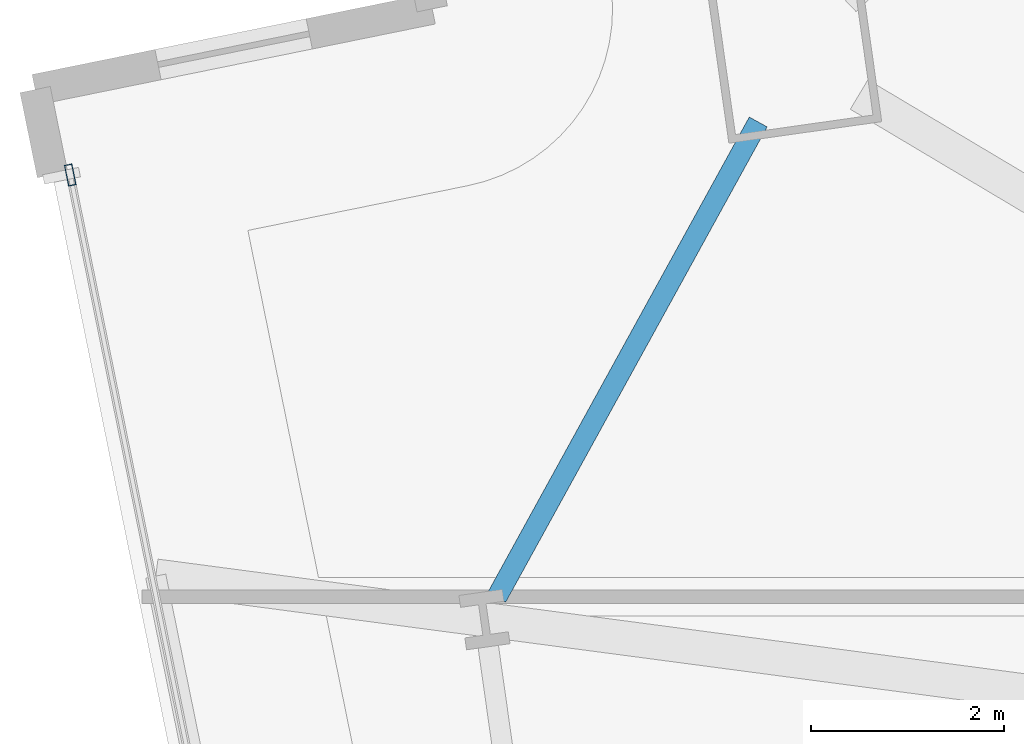
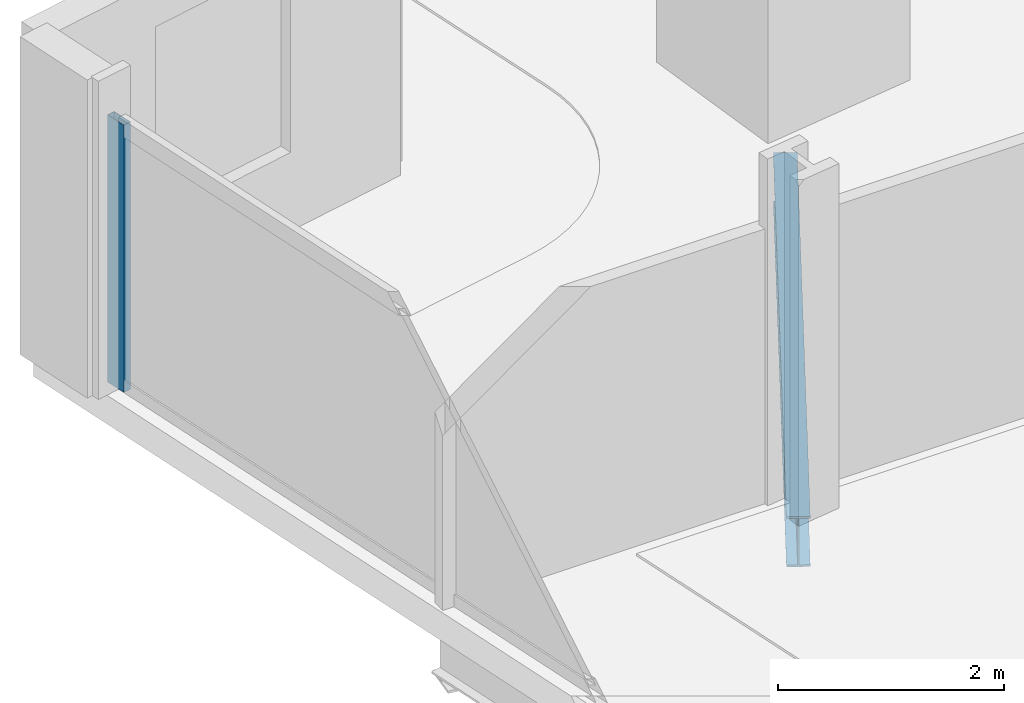
# One storey, part 15 of 33: 1 beam, 1 member, 1 element without a shape of its own.
"""IFC4 building model written with IfcOpenShell, lengths in metres."""

from ifc_helpers import new_model, si_unit, direction, frame, origin, origin_2d, place, context, subcontext, project, spatial, hollow_rectangle, i_section, extrude, material, material_profile, profile_set, type_object, element, aggregate, save


model = new_model("IFC4")

# Units and contexts
model_context = context("Model", 3, precision=1e-05, world=origin(), true_north=direction((0.0, 1.0)))
body_context = subcontext(model_context, "Body", "Model", "MODEL_VIEW")
ifc_project = project(units=[si_unit("LENGTHUNIT", "METRE"), si_unit("AREAUNIT", "SQUARE_METRE"), si_unit("VOLUMEUNIT", "CUBIC_METRE"), si_unit("PLANEANGLEUNIT", "RADIAN"), si_unit("MASSUNIT", "GRAM", prefix="KILO")], contexts=[model_context])

# Site, building, storey
site_placement = place(None, origin())
site = spatial("IfcSite", under=ifc_project, at=site_placement, CompositionType="ELEMENT")
building_placement = place(site_placement, origin())
building = spatial("IfcBuilding", under=site, at=building_placement, Name="Haldenkirk Collegiate Tower", CompositionType="ELEMENT")
storey_placement = place(building_placement, frame((0.0, 0.0, 66.449951171875)))
storey = spatial("IfcBuildingStorey", under=building, at=storey_placement, Name="L15", CompositionType="ELEMENT", Elevation=66.449951171875)

# Beam
ifc_material_1 = material(Name="Steel ASTM A992 Grade 50", Category="steel")
ifc_material_profile_1 = material_profile(ifc_material_1, i_section(OverallWidth=0.2119140625, OverallDepth=0.5439453125, WebThickness=0.01318359375, FlangeThickness=0.021240234375, at=origin_2d()), Name="W21X83")
ifc_profile_set_1 = profile_set([ifc_material_profile_1], Name="Steel ASTM A992 Grade 50")
beam_type = type_object("IfcBeamType", Name="BM-SPANDREL-W21X83", PredefinedType="SPANDREL", material=ifc_profile_set_1)
beam_placement = place(storey_placement, frame((13.10400390625, 41.37109375, -0.58203125), z_axis=(-0.482003753736, -0.876169151126, 0.0), x_axis=(0.876169151126, -0.482003753736, 0.0)))
element("IfcBeam", 1, at=beam_placement, inside=storey, type_object=beam_type, Name="L15 perimeter spandrel beam 13", PredefinedType="SPANDREL", context=body_context, shape_type="SweptSolid", body=[
    extrude(i_section(OverallWidth=0.2119140625, OverallDepth=0.5439453125, WebThickness=0.01318359375, FlangeThickness=0.021240234375, at=origin_2d()), origin(), (0.0, 0.0, 1.0), 5.622802734375),
])

# Curtain wall, member
ifc_material_2 = material(Name="Anodised architectural bronze aluminium", Category="aluminium")
curtain_wall_type = type_object("IfcCurtainWallType", Name="CW-SYS1-CONVEX-LOW", PredefinedType="USERDEFINED", material=ifc_material_2)
curtain_wall_placement = place(storey_placement, origin())
curtain_wall = element("IfcCurtainWall", 2, at=curtain_wall_placement, inside=storey, type_object=curtain_wall_type, Name="L15 Lower tower convex bronze-framed unitised curtain wall", ObjectType="UNITISED CURTAIN WALL", PredefinedType="USERDEFINED")
ifc_material_profile_2 = material_profile(ifc_material_2, hollow_rectangle(XDim=0.080078125, YDim=0.219970703125, WallThickness=0.0048828125, at=origin_2d()), Name="CW-MUL-1A")
ifc_profile_set_2 = profile_set([ifc_material_profile_2], Name="Anodised architectural bronze aluminium")
member_type = type_object("IfcMemberType", Name="CW-MUL-1A", PredefinedType="MULLION", material=ifc_profile_set_2)
member_placement = place(storey_placement, frame((5.972412109375, 40.821044921875, 0.0), z_axis=(0.0, 0.0, 1.0), x_axis=(-0.979924462932, -0.199369122351, 0.0)))
member = element("IfcMember", 3, at=member_placement, type_object=member_type, Name="CW-1A mullion 5", PredefinedType="MULLION", context=body_context, shape_type="SweptSolid", body=[
    extrude(hollow_rectangle(XDim=0.080078125, YDim=0.219970703125, WallThickness=0.0048828125, at=origin_2d()), origin(), (0.0, 0.0, 1.0), 2.89111328125),
])
aggregate(curtain_wall, [member])

save(model, "model.ifc")
